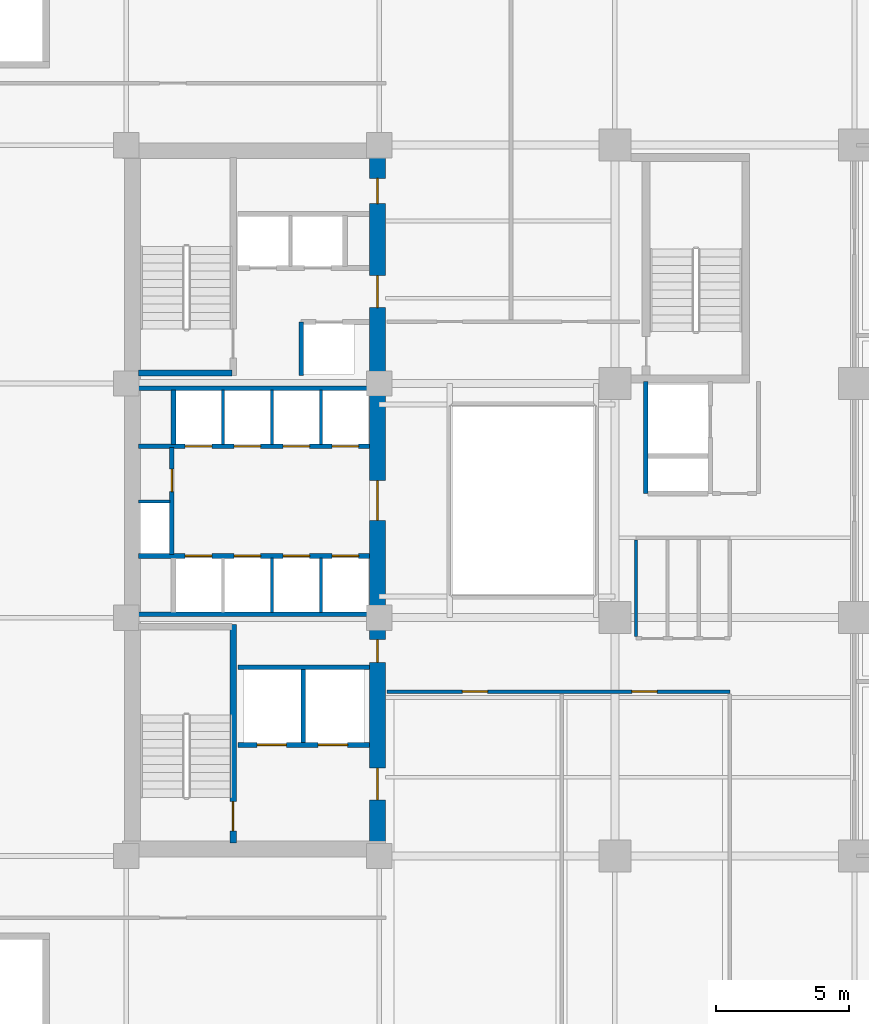
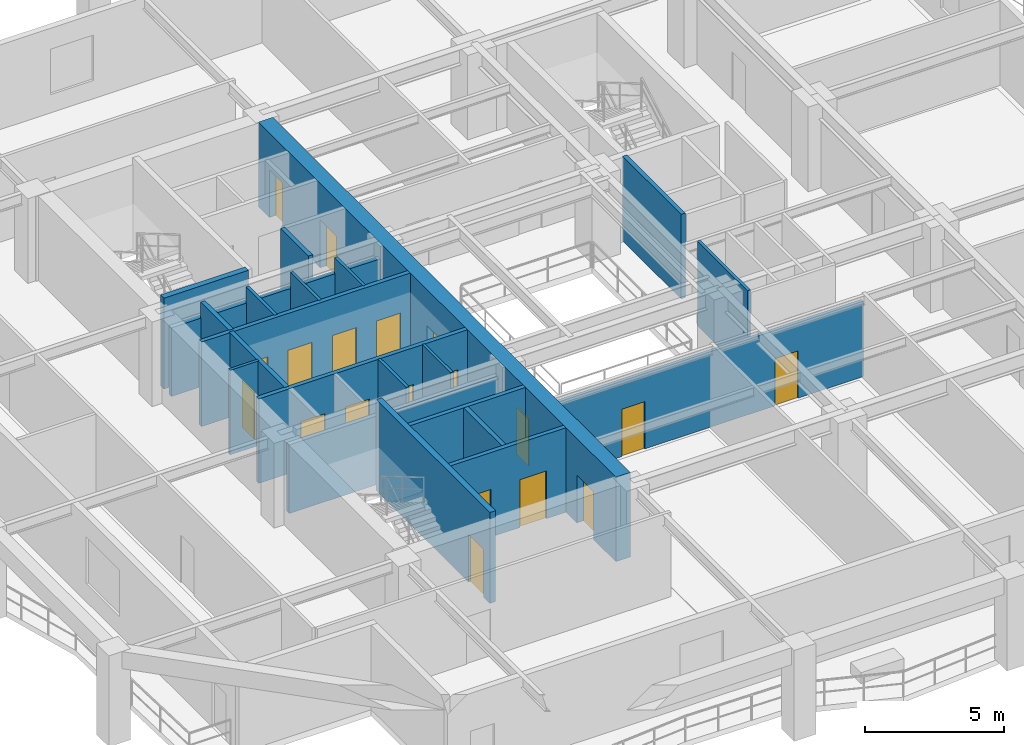
# One storey, part 3 of 12: 22 walls, 19 doors, 19 openings.
"""IFC4 building model written with IfcOpenShell, lengths in metres."""

from ifc_helpers import new_model, si_unit, direction, frame, frame_2d, origin, place, context, subcontext, project, spatial, rectangle, extrude, material, layer, layer_set, type_object, element, fill, save


model = new_model("IFC4")

# Units and contexts
model_context = context("Model", 3, precision=1e-05, world=origin(), true_north=direction((0.0, 1.0)))
body_context = subcontext(model_context, "Body", "Model", "MODEL_VIEW")
ifc_project = project(units=[si_unit("LENGTHUNIT", "METRE"), si_unit("AREAUNIT", "SQUARE_METRE"), si_unit("VOLUMEUNIT", "CUBIC_METRE"), si_unit("PLANEANGLEUNIT", "RADIAN"), si_unit("MASSUNIT", "GRAM", prefix="KILO")], contexts=[model_context])

# Site, building, storey
site_placement = place(None, origin())
site = spatial("IfcSite", under=ifc_project, at=site_placement, CompositionType="ELEMENT")
building_placement = place(site_placement, origin())
building = spatial("IfcBuilding", under=site, at=building_placement, Name="Kundavana Baori Tower", CompositionType="ELEMENT")
storey_placement = place(building_placement, frame((0.0, 0.0, 42.0)))
storey = spatial("IfcBuildingStorey", under=building, at=storey_placement, Name="L09", CompositionType="ELEMENT", Elevation=42.0)

# Wall, opening, door
ifc_material_1 = material(Name="Concrete C50/60", Category="concrete")
ifc_layer_1 = layer(ifc_material_1, 0.39990234375, Name="WL-CORE-400")
ifc_layer_set_1 = layer_set([ifc_layer_1], Name="Concrete C50/60")
wall_type_1 = type_object("IfcWallType", Name="WL-CORE-400", PredefinedType="SHEAR", material=ifc_layer_set_1)
wall_1_placement = place(storey_placement, frame((19.4599609375, 15.739990234375, 0.0), z_axis=(0.0, 0.0, 1.0), x_axis=(0.0, 1.0, 0.0)))
wall_1 = element("IfcWall", 1, at=wall_1_placement, inside=storey, type_object=wall_type_1, Name="WL-L09-ST1-E", PredefinedType="SHEAR", context=body_context, shape_type="SweptSolid", body=[
    extrude(rectangle(XDim=8.199951171875, YDim=0.239990234375, at=frame_2d((4.10009765625, 0.0))), origin(), (0.0, 0.0, 1.0), 4.0),
])
opening_1_placement = place(wall_1_placement, frame((0.449951171875, 0.0, 0.0)))
opening_1 = element("IfcOpeningElement", 2, at=opening_1_placement, cuts=wall_1, Name="Opening FD-110", PredefinedType="OPENING", context=body_context, shape_type="SweptSolid", body=[
    extrude(rectangle(XDim=1.10009765625, YDim=2.10009765625, at=frame_2d((0.550048828125, 1.050048828125))), frame((0.0, 0.1298828125, 0.0), z_axis=(0.0, -1.0, 0.0), x_axis=(1.0, 0.0, 0.0)), (0.0, 0.0, 1.0), 0.260009765625),
])
ifc_material_2 = material(Name="Galvanised Steel Fire-Rated Door Leaf", Category="steel")
door_type_1 = type_object("IfcDoorType", Name="DR-FD120-1100", OperationType="NOTDEFINED", PredefinedType="DOOR", material=ifc_material_2)
door_1_placement = place(opening_1_placement, origin())
door_1 = element("IfcDoor", 3, at=door_1_placement, inside=storey, type_object=door_type_1, Name="DR-L09-ST1", OperationType="SINGLE_SWING_LEFT", OverallHeight=2.10009765625, OverallWidth=1.10009765625, PredefinedType="DOOR", context=body_context, shape_type="SweptSolid", body=[
    extrude(rectangle(XDim=1.10009765625, YDim=2.10009765625, at=frame_2d((0.550048828125, 1.050048828125))), frame((0.0, 0.02490234375, 0.0), z_axis=(0.0, -1.0, 0.0), x_axis=(1.0, 0.0, 0.0)), (0.0, 0.0, 1.0), 0.050048828125),
])
fill(opening_1, door_1)

# Wall
wall_2_placement = place(storey_placement, frame((15.89990234375, 33.389892578125, 0.0), z_axis=(0.0, 0.0, 1.0), x_axis=(1.0, 0.0, 0.0)))
element("IfcWall", 4, at=wall_2_placement, inside=storey, type_object=wall_type_1, Name="WL-L09-ST2-S", PredefinedType="SHEAR", context=body_context, shape_type="SweptSolid", body=[
    extrude(rectangle(XDim=3.52001953125, YDim=0.239990234375, at=frame_2d((1.760009765625, 0.0))), origin(), (0.0, 0.0, 1.0), 4.0),
])

# Wall, openings, doors
ifc_material_3 = material(Name="Concrete C60/75", Category="concrete")
ifc_layer_2 = layer(ifc_material_3, 0.60009765625, Name="WL-CORE-600")
ifc_layer_set_2 = layer_set([ifc_layer_2], Name="Concrete C60/75")
wall_type_2 = type_object("IfcWallType", Name="WL-CORE-600", PredefinedType="SHEAR", material=ifc_layer_set_2)
wall_3_placement = place(storey_placement, frame((24.8798828125, 15.739990234375, 0.0), z_axis=(0.0, 0.0, 1.0), x_axis=(0.0, 1.0, 0.0)))
wall_3 = element("IfcWall", 5, at=wall_3_placement, inside=storey, type_object=wall_type_2, Name="L09 Offset Core East Shear Wall", PredefinedType="SHEAR", context=body_context, shape_type="SweptSolid", body=[
    extrude(rectangle(XDim=25.760009765625, YDim=0.60009765625, at=frame_2d((12.8798828125, 0.0))), origin(), (0.0, 0.0, 1.0), 3.719970703125),
])
opening_2_placement = place(wall_3_placement, frame((1.610107421875, 0.0, 0.0)))
opening_2 = element("IfcOpeningElement", 6, at=opening_2_placement, cuts=wall_3, Name="Opening FD-120", PredefinedType="OPENING", context=body_context, shape_type="SweptSolid", body=[
    extrude(rectangle(XDim=1.199951171875, YDim=2.10009765625, at=frame_2d((0.60009765625, 1.050048828125))), frame((0.0, 0.31005859375, 0.0), z_axis=(0.0, -1.0, 0.0), x_axis=(1.0, 0.0, 0.0)), (0.0, 0.0, 1.0), 0.6201171875),
])
opening_3_placement = place(wall_3_placement, frame((6.780029296875, 0.0, 0.0)))
opening_3 = element("IfcOpeningElement", 7, at=opening_3_placement, cuts=wall_3, Name="Opening FD-085", PredefinedType="OPENING", context=body_context, shape_type="SweptSolid", body=[
    extrude(rectangle(XDim=0.85009765625, YDim=2.06005859375, at=frame_2d((0.425048828125, 1.030029296875))), frame((0.0, 0.31005859375, 0.0), z_axis=(0.0, -1.0, 0.0), x_axis=(1.0, 0.0, 0.0)), (0.0, 0.0, 1.0), 0.6201171875),
])
opening_4_placement = place(wall_3_placement, frame((12.110107421875, 0.0, 0.0)))
opening_4 = element("IfcOpeningElement", 8, at=opening_4_placement, cuts=wall_3, Name="Opening FD-150", PredefinedType="OPENING", context=body_context, shape_type="SweptSolid", body=[
    extrude(rectangle(XDim=1.5, YDim=2.1201171875, at=frame_2d((0.75, 1.06005859375))), frame((0.0, 0.31005859375, 0.0), z_axis=(0.0, -1.0, 0.0), x_axis=(1.0, 0.0, 0.0)), (0.0, 0.0, 1.0), 0.6201171875),
])
opening_5_placement = place(wall_3_placement, frame((20.110107421875, 0.0, 0.0)))
opening_5 = element("IfcOpeningElement", 9, at=opening_5_placement, cuts=wall_3, Name="Opening FD-122", PredefinedType="OPENING", context=body_context, shape_type="SweptSolid", body=[
    extrude(rectangle(XDim=1.199951171875, YDim=2.1201171875, at=frame_2d((0.60009765625, 1.06005859375))), frame((0.0, 0.31005859375, 0.0), z_axis=(0.0, -1.0, 0.0), x_axis=(1.0, 0.0, 0.0)), (0.0, 0.0, 1.0), 0.6201171875),
])
opening_6_placement = place(wall_3_placement, frame((24.010009765625, 0.0, 0.0)))
opening_6 = element("IfcOpeningElement", 10, at=opening_6_placement, cuts=wall_3, Name="Opening FD-095", PredefinedType="OPENING", context=body_context, shape_type="SweptSolid", body=[
    extrude(rectangle(XDim=0.949951171875, YDim=2.10009765625, at=frame_2d((0.47509765625, 1.050048828125))), frame((0.0, 0.31005859375, 0.0), z_axis=(0.0, -1.0, 0.0), x_axis=(1.0, 0.0, 0.0)), (0.0, 0.0, 1.0), 0.6201171875),
])
ifc_material_4 = material(Name="Galvanised Steel Fire-Rated Door Leaf", Category="steel")
door_type_2 = type_object("IfcDoorType", Name="DR-FD120-1200", OperationType="NOTDEFINED", PredefinedType="DOOR", material=ifc_material_4)
door_2_placement = place(opening_2_placement, frame((1.199951171875, 0.0, 0.0), z_axis=(0.0, 0.0, 1.0), x_axis=(-1.0, 0.0, 0.0)))
door_2 = element("IfcDoor", 11, at=door_2_placement, inside=storey, type_object=door_type_2, Name="DR-L09-FFLOB-E", OperationType="SINGLE_SWING_RIGHT", OverallHeight=2.10009765625, OverallWidth=1.199951171875, PredefinedType="DOOR", context=body_context, shape_type="SweptSolid", body=[
    extrude(rectangle(XDim=1.199951171875, YDim=2.10009765625, at=frame_2d((0.60009765625, 1.050048828125))), frame((0.0, 0.02490234375, 0.0), z_axis=(0.0, -1.0, 0.0), x_axis=(1.0, 0.0, 0.0)), (0.0, 0.0, 1.0), 0.050048828125),
])
fill(opening_2, door_2)
ifc_material_5 = material(Name="Galvanised Steel Fire-Rated Door Leaf", Category="steel")
door_type_3 = type_object("IfcDoorType", Name="DR-FD60-1200", OperationType="NOTDEFINED", PredefinedType="DOOR", material=ifc_material_5)
door_3_placement = place(opening_5_placement, frame((1.199951171875, 0.0, 0.0), z_axis=(0.0, 0.0, 1.0), x_axis=(-1.0, 0.0, 0.0)))
door_3 = element("IfcDoor", 12, at=door_3_placement, inside=storey, type_object=door_type_3, Name="DR-L09-HRLOB-E", OperationType="SINGLE_SWING_RIGHT", OverallHeight=2.1201171875, OverallWidth=1.199951171875, PredefinedType="DOOR", context=body_context, shape_type="SweptSolid", body=[
    extrude(rectangle(XDim=1.199951171875, YDim=2.1201171875, at=frame_2d((0.60009765625, 1.06005859375))), frame((0.0, 0.02490234375, 0.0), z_axis=(0.0, -1.0, 0.0), x_axis=(1.0, 0.0, 0.0)), (0.0, 0.0, 1.0), 0.050048828125),
])
fill(opening_5, door_3)
ifc_material_6 = material(Name="Galvanised Steel Fire-Rated Door Leaf", Category="steel")
door_type_4 = type_object("IfcDoorType", Name="DR-FD60-1500", OperationType="NOTDEFINED", PredefinedType="DOOR", material=ifc_material_6)
door_4_placement = place(opening_4_placement, frame((1.5, 0.0, 0.0), z_axis=(0.0, 0.0, 1.0), x_axis=(-1.0, 0.0, 0.0)))
door_4 = element("IfcDoor", 13, at=door_4_placement, inside=storey, type_object=door_type_4, Name="DR-L09-LIFTHALL-E", OperationType="SINGLE_SWING_LEFT", OverallHeight=2.1201171875, OverallWidth=1.5, PredefinedType="DOOR", context=body_context, shape_type="SweptSolid", body=[
    extrude(rectangle(XDim=1.5, YDim=2.1201171875, at=frame_2d((0.75, 1.06005859375))), frame((0.0, 0.02490234375, 0.0), z_axis=(0.0, -1.0, 0.0), x_axis=(1.0, 0.0, 0.0)), (0.0, 0.0, 1.0), 0.050048828125),
])
fill(opening_4, door_4)
ifc_material_7 = material(Name="Galvanised Steel Fire-Rated Door Leaf", Category="steel")
door_type_5 = type_object("IfcDoorType", Name="DR-FD60-850", OperationType="NOTDEFINED", PredefinedType="DOOR", material=ifc_material_7)
door_5_placement = place(opening_3_placement, frame((0.85009765625, 0.0, 0.0), z_axis=(0.0, 0.0, 1.0), x_axis=(-1.0, 0.0, 0.0)))
door_5 = element("IfcDoor", 14, at=door_5_placement, inside=storey, type_object=door_type_5, Name="DR-L09-CSMK1", OperationType="SINGLE_SWING_LEFT", OverallHeight=2.06005859375, OverallWidth=0.85009765625, PredefinedType="DOOR", context=body_context, shape_type="SweptSolid", body=[
    extrude(rectangle(XDim=0.85009765625, YDim=2.06005859375, at=frame_2d((0.425048828125, 1.030029296875))), frame((0.0, 0.02490234375, 0.0), z_axis=(0.0, -1.0, 0.0), x_axis=(1.0, 0.0, 0.0)), (0.0, 0.0, 1.0), 0.050048828125),
])
fill(opening_3, door_5)
ifc_material_8 = material(Name="Engineered Teak Fire-Rated Timber Door Leaf", Category="wood")
door_type_6 = type_object("IfcDoorType", Name="DR-FD60-950", OperationType="NOTDEFINED", PredefinedType="DOOR", material=ifc_material_8)
door_6_placement = place(opening_6_placement, frame((0.949951171875, 0.0, 0.0), z_axis=(0.0, 0.0, 1.0), x_axis=(-1.0, 0.0, 0.0)))
door_6 = element("IfcDoor", 15, at=door_6_placement, inside=storey, type_object=door_type_6, Name="DR-L09-CSRV1", OperationType="SINGLE_SWING_LEFT", OverallHeight=2.10009765625, OverallWidth=0.949951171875, PredefinedType="DOOR", context=body_context, shape_type="SweptSolid", body=[
    extrude(rectangle(XDim=0.949951171875, YDim=2.10009765625, at=frame_2d((0.47509765625, 1.050048828125))), frame((0.0, 0.02490234375, 0.0), z_axis=(0.0, -1.0, 0.0), x_axis=(1.0, 0.0, 0.0)), (0.0, 0.0, 1.0), 0.050048828125),
])
fill(opening_6, door_6)

# Walls
ifc_material_9 = material(Name="Acoustic Gypsum Plasterboard on Galvanised Steel Studs", Category="steel")
ifc_layer_3 = layer(ifc_material_9, 0.1201171875, Name="WL-PART-120")
ifc_layer_set_3 = layer_set([ifc_layer_3], Name="Acoustic Gypsum Plasterboard on Galvanised Steel Studs")
wall_type_3 = type_object("IfcWallType", Name="WL-PART-120", PredefinedType="PARTITIONING", material=ifc_layer_set_3)
for number, where, z_axis, x_axis, name in (
    (16, (20.919921875, 24.39990234375, 0.0), (0.0, 0.0, 1.0), (0.0, 1.0, 0.0), "WL-L09-LPLOW-D2"),
    (17, (22.760009765625, 24.39990234375, 0.0), (0.0, 0.0, 1.0), (0.0, 1.0, 0.0), "WL-L09-LPLOW-D3"),
):
    element("IfcWall", number, at=place(storey_placement, frame(where, z_axis=z_axis, x_axis=x_axis)), inside=storey, type_object=wall_type_3, Name=name, PredefinedType="PARTITIONING", context=body_context, shape_type="SweptSolid", body=[
        extrude(rectangle(XDim=2.050048828125, YDim=0.1201171875, at=frame_2d((1.02490234375, 0.0))), origin(), (0.0, 0.0, 1.0), 3.719970703125),
    ])
wall_4_placement = place(storey_placement, frame((15.89990234375, 28.56005859375, 0.0), z_axis=(0.0, 0.0, 1.0), x_axis=(1.0, 0.0, 0.0)))
element("IfcWall", 18, at=wall_4_placement, inside=storey, type_object=wall_type_3, Name="WL-L09-RSRW-N", PredefinedType="PARTITIONING", context=body_context, shape_type="SweptSolid", body=[
    extrude(rectangle(XDim=1.2001953125, YDim=0.1201171875, at=frame_2d((0.60009765625, 0.0))), origin(), (0.0, 0.0, 1.0), 3.719970703125),
])
for number, where, z_axis, x_axis, name in (
    (19, (19.080078125, 30.699951171875, 0.0), (0.0, 0.0, 1.0), (0.0, 1.0, 0.0), "WL-L09-LPMID-D1"),
    (20, (20.919921875, 30.699951171875, 0.0), (0.0, 0.0, 1.0), (0.0, 1.0, 0.0), "WL-L09-LPMID-D2"),
    (21, (22.760009765625, 30.699951171875, 0.0), (0.0, 0.0, 1.0), (0.0, 1.0, 0.0), "WL-L09-LPMID-D3"),
):
    element("IfcWall", number, at=place(storey_placement, frame(where, z_axis=z_axis, x_axis=x_axis)), inside=storey, type_object=wall_type_3, Name=name, PredefinedType="PARTITIONING", context=body_context, shape_type="SweptSolid", body=[
        extrude(rectangle(XDim=2.050048828125, YDim=0.1201171875, at=frame_2d((1.02490234375, 0.0))), origin(), (0.0, 0.0, 1.0), 3.719970703125),
    ])

# Wall, openings, doors
ifc_material_10 = material(Name="Acoustic Gypsum Plasterboard on Galvanised Steel Studs", Category="steel")
ifc_layer_4 = layer(ifc_material_10, 0.135009765625, Name="WL-PART-135")
ifc_layer_set_4 = layer_set([ifc_layer_4], Name="Acoustic Gypsum Plasterboard on Galvanised Steel Studs")
wall_type_4 = type_object("IfcWallType", Name="WL-PART-135", PredefinedType="PARTITIONING", material=ifc_layer_set_4)
wall_5_placement = place(storey_placement, frame((25.25, 21.419921875, 0.0), z_axis=(0.0, 0.0, 1.0), x_axis=(1.0, 0.0, 0.0)))
wall_5 = element("IfcWall", 22, at=wall_5_placement, inside=storey, type_object=wall_type_4, Name="WL-L09-OFS", PredefinedType="PARTITIONING", context=body_context, shape_type="SweptSolid", body=[
    extrude(rectangle(XDim=12.8701171875, YDim=0.135009765625, at=frame_2d((6.43505859375, 0.0))), origin(), (0.0, 0.0, 1.0), 3.320068359375),
])
opening_7_placement = place(wall_5_placement, frame((2.824951171875, 0.0, 0.0)))
opening_7 = element("IfcOpeningElement", 23, at=opening_7_placement, cuts=wall_5, Name="Opening ID-095", PredefinedType="OPENING", context=body_context, shape_type="SweptSolid", body=[
    extrude(rectangle(XDim=0.949951171875, YDim=2.080078125, at=frame_2d((0.47509765625, 1.0400390625))), frame((0.0, 0.07763671875, 0.0), z_axis=(0.0, -1.0, 0.0), x_axis=(1.0, 0.0, 0.0)), (0.0, 0.0, 1.0), 0.155029296875),
])
opening_8_placement = place(wall_5_placement, frame((9.195068359375, 0.0, 0.0)))
opening_8 = element("IfcOpeningElement", 24, at=opening_8_placement, cuts=wall_5, Name="Opening ID-095", PredefinedType="OPENING", context=body_context, shape_type="SweptSolid", body=[
    extrude(rectangle(XDim=0.949951171875, YDim=2.080078125, at=frame_2d((0.47509765625, 1.0400390625))), frame((0.0, 0.07763671875, 0.0), z_axis=(0.0, -1.0, 0.0), x_axis=(1.0, 0.0, 0.0)), (0.0, 0.0, 1.0), 0.155029296875),
])
ifc_material_11 = material(Name="Engineered Teak Solid-Core Timber Veneer", Category="wood")
door_type_7 = type_object("IfcDoorType", Name="DR-INT-950", OperationType="NOTDEFINED", PredefinedType="DOOR", material=ifc_material_11)
door_7_placement = place(opening_7_placement, frame((0.949951171875, 0.0, 0.0), z_axis=(0.0, 0.0, 1.0), x_axis=(-1.0, 0.0, 0.0)))
door_7 = element("IfcDoor", 25, at=door_7_placement, inside=storey, type_object=door_type_7, Name="DR-L09-OFS1", OperationType="SINGLE_SWING_LEFT", OverallHeight=2.080078125, OverallWidth=0.949951171875, PredefinedType="DOOR", context=body_context, shape_type="SweptSolid", body=[
    extrude(rectangle(XDim=0.949951171875, YDim=2.080078125, at=frame_2d((0.47509765625, 1.0400390625))), frame((0.0, 0.02490234375, 0.0), z_axis=(0.0, -1.0, 0.0), x_axis=(1.0, 0.0, 0.0)), (0.0, 0.0, 1.0), 0.050048828125),
])
fill(opening_7, door_7)
door_8_placement = place(opening_8_placement, frame((0.949951171875, 0.0, 0.0), z_axis=(0.0, 0.0, 1.0), x_axis=(-1.0, 0.0, 0.0)))
door_8 = element("IfcDoor", 26, at=door_8_placement, inside=storey, type_object=door_type_7, Name="DR-L09-OFS2", OperationType="SINGLE_SWING_RIGHT", OverallHeight=2.080078125, OverallWidth=0.949951171875, PredefinedType="DOOR", context=body_context, shape_type="SweptSolid", body=[
    extrude(rectangle(XDim=0.949951171875, YDim=2.080078125, at=frame_2d((0.47509765625, 1.0400390625))), frame((0.0, 0.02490234375, 0.0), z_axis=(0.0, -1.0, 0.0), x_axis=(1.0, 0.0, 0.0)), (0.0, 0.0, 1.0), 0.050048828125),
])
fill(opening_8, door_8)

ifc_material_12 = material(Name="Autoclaved Aerated Concrete Blockwork Masonry", Category="masonry")
ifc_layer_5 = layer(ifc_material_12, 0.179931640625, Name="WL-SHAFT-180")
ifc_layer_set_5 = layer_set([ifc_layer_5], Name="Autoclaved Aerated Concrete Blockwork Masonry")
wall_type_5 = type_object("IfcWallType", Name="WL-SHAFT-180", PredefinedType="SOLIDWALL", material=ifc_layer_set_5)
wall_6_placement = place(storey_placement, frame((19.639892578125, 19.419921875, 0.0), z_axis=(0.0, 0.0, 1.0), x_axis=(1.0, 0.0, 0.0)))
wall_6 = element("IfcWall", 27, at=wall_6_placement, inside=storey, type_object=wall_type_5, Name="WL-L09-FFL-S", PredefinedType="SOLIDWALL", context=body_context, shape_type="SweptSolid", body=[
    extrude(rectangle(XDim=4.940185546875, YDim=0.179931640625, at=frame_2d((2.47021484375, 0.0))), origin(), (0.0, 0.0, 1.0), 3.719970703125),
])
opening_9_placement = place(wall_6_placement, frame((0.719970703125, 0.0, 0.0)))
opening_9 = element("IfcOpeningElement", 28, at=opening_9_placement, cuts=wall_6, Name="Opening LD-110", PredefinedType="OPENING", context=body_context, shape_type="SweptSolid", body=[
    extrude(rectangle(XDim=1.10009765625, YDim=2.10009765625, at=frame_2d((0.550048828125, 1.050048828125))), frame((0.0, 0.10009765625, 0.0), z_axis=(0.0, -1.0, 0.0), x_axis=(1.0, 0.0, 0.0)), (0.0, 0.0, 1.0), 0.199951171875),
])
opening_10_placement = place(wall_6_placement, frame((3.02001953125, 0.0, 0.0)))
opening_10 = element("IfcOpeningElement", 29, at=opening_10_placement, cuts=wall_6, Name="Opening LD-110", PredefinedType="OPENING", context=body_context, shape_type="SweptSolid", body=[
    extrude(rectangle(XDim=1.10009765625, YDim=2.10009765625, at=frame_2d((0.550048828125, 1.050048828125))), frame((0.0, 0.10009765625, 0.0), z_axis=(0.0, -1.0, 0.0), x_axis=(1.0, 0.0, 0.0)), (0.0, 0.0, 1.0), 0.199951171875),
])
ifc_material_13 = material(Name="Galvanised Steel Fire-Rated Door Leaf", Category="steel")
door_type_8 = type_object("IfcDoorType", Name="DR-SLIDE-LD1100", OperationType="NOTDEFINED", PredefinedType="DOOR", material=ifc_material_13)
door_9_placement = place(opening_9_placement, origin())
door_9 = element("IfcDoor", 30, at=door_9_placement, inside=storey, type_object=door_type_8, Name="DR-L09-LD-FFL-1", OperationType="DOUBLE_DOOR_SLIDING", OverallHeight=2.10009765625, OverallWidth=1.10009765625, PredefinedType="DOOR", context=body_context, shape_type="SweptSolid", body=[
    extrude(rectangle(XDim=1.10009765625, YDim=2.10009765625, at=frame_2d((0.550048828125, 1.050048828125))), frame((0.0, 0.02490234375, 0.0), z_axis=(0.0, -1.0, 0.0), x_axis=(1.0, 0.0, 0.0)), (0.0, 0.0, 1.0), 0.050048828125),
])
fill(opening_9, door_9)
door_10_placement = place(opening_10_placement, origin())
door_10 = element("IfcDoor", 31, at=door_10_placement, inside=storey, type_object=door_type_8, Name="DR-L09-LD-FFL-2", OperationType="DOUBLE_DOOR_SLIDING", OverallHeight=2.10009765625, OverallWidth=1.10009765625, PredefinedType="DOOR", context=body_context, shape_type="SweptSolid", body=[
    extrude(rectangle(XDim=1.10009765625, YDim=2.10009765625, at=frame_2d((0.550048828125, 1.050048828125))), frame((0.0, 0.02490234375, 0.0), z_axis=(0.0, -1.0, 0.0), x_axis=(1.0, 0.0, 0.0)), (0.0, 0.0, 1.0), 0.050048828125),
])
fill(opening_10, door_10)

# Walls
wall_7_placement = place(storey_placement, frame((22.10009765625, 19.510009765625, 0.0), z_axis=(0.0, 0.0, 1.0), x_axis=(0.0, 1.0, 0.0)))
element("IfcWall", 32, at=wall_7_placement, inside=storey, type_object=wall_type_5, Name="WL-L09-FFL-MID", PredefinedType="SOLIDWALL", context=body_context, shape_type="SweptSolid", body=[
    extrude(rectangle(XDim=2.739990234375, YDim=0.179931640625, at=frame_2d((1.3701171875, 0.0))), origin(), (0.0, 0.0, 1.0), 3.719970703125),
])
wall_8_placement = place(storey_placement, frame((19.639892578125, 22.340087890625, 0.0), z_axis=(0.0, 0.0, 1.0), x_axis=(1.0, 0.0, 0.0)))
element("IfcWall", 33, at=wall_8_placement, inside=storey, type_object=wall_type_5, Name="WL-L09-FFL-N", PredefinedType="SOLIDWALL", context=body_context, shape_type="SweptSolid", body=[
    extrude(rectangle(XDim=4.940185546875, YDim=0.179931640625, at=frame_2d((2.47021484375, 0.0))), origin(), (0.0, 0.0, 1.0), 3.719970703125),
])

# Wall, openings, doors
wall_9_placement = place(storey_placement, frame((15.89990234375, 26.52001953125, 0.0), z_axis=(0.0, 0.0, 1.0), x_axis=(1.0, 0.0, 0.0)))
wall_9 = element("IfcWall", 34, at=wall_9_placement, inside=storey, type_object=wall_type_5, Name="WL-L09-LPLOW-N", PredefinedType="SOLIDWALL", context=body_context, shape_type="SweptSolid", body=[
    extrude(rectangle(XDim=8.68017578125, YDim=0.179931640625, at=frame_2d((4.340087890625, 0.0))), origin(), (0.0, 0.0, 1.0), 3.719970703125),
])
opening_11_placement = place(wall_9_placement, frame((1.760009765625, 0.0, 0.0)))
opening_11 = element("IfcOpeningElement", 35, at=opening_11_placement, cuts=wall_9, Name="Opening LD-100", PredefinedType="OPENING", context=body_context, shape_type="SweptSolid", body=[
    extrude(rectangle(XDim=1.0, YDim=2.10009765625, at=frame_2d((0.5, 1.050048828125))), frame((0.0, 0.10009765625, 0.0), z_axis=(0.0, -1.0, 0.0), x_axis=(1.0, 0.0, 0.0)), (0.0, 0.0, 1.0), 0.199951171875),
])
opening_12_placement = place(wall_9_placement, frame((3.60009765625, 0.0, 0.0)))
opening_12 = element("IfcOpeningElement", 36, at=opening_12_placement, cuts=wall_9, Name="Opening LD-100", PredefinedType="OPENING", context=body_context, shape_type="SweptSolid", body=[
    extrude(rectangle(XDim=1.0, YDim=2.10009765625, at=frame_2d((0.5, 1.050048828125))), frame((0.0, 0.10009765625, 0.0), z_axis=(0.0, -1.0, 0.0), x_axis=(1.0, 0.0, 0.0)), (0.0, 0.0, 1.0), 0.199951171875),
])
opening_13_placement = place(wall_9_placement, frame((5.43994140625, 0.0, 0.0)))
opening_13 = element("IfcOpeningElement", 37, at=opening_13_placement, cuts=wall_9, Name="Opening LD-100", PredefinedType="OPENING", context=body_context, shape_type="SweptSolid", body=[
    extrude(rectangle(XDim=1.0, YDim=2.10009765625, at=frame_2d((0.5, 1.050048828125))), frame((0.0, 0.10009765625, 0.0), z_axis=(0.0, -1.0, 0.0), x_axis=(1.0, 0.0, 0.0)), (0.0, 0.0, 1.0), 0.199951171875),
])
opening_14_placement = place(wall_9_placement, frame((7.280029296875, 0.0, 0.0)))
opening_14 = element("IfcOpeningElement", 38, at=opening_14_placement, cuts=wall_9, Name="Opening LD-100", PredefinedType="OPENING", context=body_context, shape_type="SweptSolid", body=[
    extrude(rectangle(XDim=1.0, YDim=2.10009765625, at=frame_2d((0.5, 1.050048828125))), frame((0.0, 0.10009765625, 0.0), z_axis=(0.0, -1.0, 0.0), x_axis=(1.0, 0.0, 0.0)), (0.0, 0.0, 1.0), 0.199951171875),
])
ifc_material_14 = material(Name="Galvanised Steel Fire-Rated Door Leaf", Category="steel")
door_type_9 = type_object("IfcDoorType", Name="DR-SLIDE-LD1000", OperationType="NOTDEFINED", PredefinedType="DOOR", material=ifc_material_14)
door_11_placement = place(opening_11_placement, origin())
door_11 = element("IfcDoor", 39, at=door_11_placement, inside=storey, type_object=door_type_9, Name="DR-L09-LD-LP-01", OperationType="DOUBLE_DOOR_SLIDING", OverallHeight=2.10009765625, OverallWidth=1.0, PredefinedType="DOOR", context=body_context, shape_type="SweptSolid", body=[
    extrude(rectangle(XDim=1.0, YDim=2.10009765625, at=frame_2d((0.5, 1.050048828125))), frame((0.0, 0.02490234375, 0.0), z_axis=(0.0, -1.0, 0.0), x_axis=(1.0, 0.0, 0.0)), (0.0, 0.0, 1.0), 0.050048828125),
])
fill(opening_11, door_11)
door_12_placement = place(opening_12_placement, origin())
door_12 = element("IfcDoor", 40, at=door_12_placement, inside=storey, type_object=door_type_9, Name="DR-L09-LD-LP-02", OperationType="DOUBLE_DOOR_SLIDING", OverallHeight=2.10009765625, OverallWidth=1.0, PredefinedType="DOOR", context=body_context, shape_type="SweptSolid", body=[
    extrude(rectangle(XDim=1.0, YDim=2.10009765625, at=frame_2d((0.5, 1.050048828125))), frame((0.0, 0.02490234375, 0.0), z_axis=(0.0, -1.0, 0.0), x_axis=(1.0, 0.0, 0.0)), (0.0, 0.0, 1.0), 0.050048828125),
])
fill(opening_12, door_12)
door_13_placement = place(opening_13_placement, origin())
door_13 = element("IfcDoor", 41, at=door_13_placement, inside=storey, type_object=door_type_9, Name="DR-L09-LD-LP-03", OperationType="DOUBLE_DOOR_SLIDING", OverallHeight=2.10009765625, OverallWidth=1.0, PredefinedType="DOOR", context=body_context, shape_type="SweptSolid", body=[
    extrude(rectangle(XDim=1.0, YDim=2.10009765625, at=frame_2d((0.5, 1.050048828125))), frame((0.0, 0.02490234375, 0.0), z_axis=(0.0, -1.0, 0.0), x_axis=(1.0, 0.0, 0.0)), (0.0, 0.0, 1.0), 0.050048828125),
])
fill(opening_13, door_13)
door_14_placement = place(opening_14_placement, origin())
door_14 = element("IfcDoor", 42, at=door_14_placement, inside=storey, type_object=door_type_9, Name="DR-L09-LD-LP-04", OperationType="DOUBLE_DOOR_SLIDING", OverallHeight=2.10009765625, OverallWidth=1.0, PredefinedType="DOOR", context=body_context, shape_type="SweptSolid", body=[
    extrude(rectangle(XDim=1.0, YDim=2.10009765625, at=frame_2d((0.5, 1.050048828125))), frame((0.0, 0.02490234375, 0.0), z_axis=(0.0, -1.0, 0.0), x_axis=(1.0, 0.0, 0.0)), (0.0, 0.0, 1.0), 0.050048828125),
])
fill(opening_14, door_14)

# Wall
wall_10_placement = place(storey_placement, frame((15.89990234375, 24.330078125, 0.0), z_axis=(0.0, 0.0, 1.0), x_axis=(1.0, 0.0, 0.0)))
element("IfcWall", 43, at=wall_10_placement, inside=storey, type_object=wall_type_5, Name="WL-L09-LPLOW-S", PredefinedType="SOLIDWALL", context=body_context, shape_type="SweptSolid", body=[
    extrude(rectangle(XDim=8.68017578125, YDim=0.179931640625, at=frame_2d((4.340087890625, 0.0))), origin(), (0.0, 0.0, 1.0), 3.02001953125),
])

# Wall, opening, door
wall_11_placement = place(storey_placement, frame((17.159912109375, 26.580078125, 0.0), z_axis=(0.0, 0.0, 1.0), x_axis=(0.0, 1.0, 0.0)))
wall_11 = element("IfcWall", 44, at=wall_11_placement, inside=storey, type_object=wall_type_5, Name="WL-L09-RSRW-E", PredefinedType="SOLIDWALL", context=body_context, shape_type="SweptSolid", body=[
    extrude(rectangle(XDim=4.02001953125, YDim=0.179931640625, at=frame_2d((2.010009765625, 0.0))), origin(), (0.0, 0.0, 1.0), 3.719970703125),
])
opening_15_placement = place(wall_11_placement, frame((2.35009765625, 0.0, 0.0)))
opening_15 = element("IfcOpeningElement", 45, at=opening_15_placement, cuts=wall_11, Name="Opening FD-085", PredefinedType="OPENING", context=body_context, shape_type="SweptSolid", body=[
    extrude(rectangle(XDim=0.85009765625, YDim=2.06005859375, at=frame_2d((0.425048828125, 1.030029296875))), frame((0.0, 0.10009765625, 0.0), z_axis=(0.0, -1.0, 0.0), x_axis=(1.0, 0.0, 0.0)), (0.0, 0.0, 1.0), 0.199951171875),
])
door_15_placement = place(opening_15_placement, origin())
door_15 = element("IfcDoor", 46, at=door_15_placement, inside=storey, type_object=door_type_5, Name="DR-L09-CLN", OperationType="SINGLE_SWING_RIGHT", OverallHeight=2.06005859375, OverallWidth=0.85009765625, PredefinedType="DOOR", context=body_context, shape_type="SweptSolid", body=[
    extrude(rectangle(XDim=0.85009765625, YDim=2.06005859375, at=frame_2d((0.425048828125, 1.030029296875))), frame((0.0, 0.02490234375, 0.0), z_axis=(0.0, -1.0, 0.0), x_axis=(1.0, 0.0, 0.0)), (0.0, 0.0, 1.0), 0.050048828125),
])
fill(opening_15, door_15)

# Wall, openings, doors
wall_12_placement = place(storey_placement, frame((15.89990234375, 30.639892578125, 0.0), z_axis=(0.0, 0.0, 1.0), x_axis=(1.0, 0.0, 0.0)))
wall_12 = element("IfcWall", 47, at=wall_12_placement, inside=storey, type_object=wall_type_5, Name="WL-L09-LPMID-S", PredefinedType="SOLIDWALL", context=body_context, shape_type="SweptSolid", body=[
    extrude(rectangle(XDim=8.68017578125, YDim=0.179931640625, at=frame_2d((4.340087890625, 0.0))), origin(), (0.0, 0.0, 1.0), 3.719970703125),
])
opening_16_placement = place(wall_12_placement, frame((1.760009765625, 0.0, 0.0)))
opening_16 = element("IfcOpeningElement", 48, at=opening_16_placement, cuts=wall_12, Name="Opening LD-100", PredefinedType="OPENING", context=body_context, shape_type="SweptSolid", body=[
    extrude(rectangle(XDim=1.0, YDim=2.10009765625, at=frame_2d((0.5, 1.050048828125))), frame((0.0, 0.10009765625, 0.0), z_axis=(0.0, -1.0, 0.0), x_axis=(1.0, 0.0, 0.0)), (0.0, 0.0, 1.0), 0.199951171875),
])
opening_17_placement = place(wall_12_placement, frame((3.60009765625, 0.0, 0.0)))
opening_17 = element("IfcOpeningElement", 49, at=opening_17_placement, cuts=wall_12, Name="Opening LD-100", PredefinedType="OPENING", context=body_context, shape_type="SweptSolid", body=[
    extrude(rectangle(XDim=1.0, YDim=2.10009765625, at=frame_2d((0.5, 1.050048828125))), frame((0.0, 0.10009765625, 0.0), z_axis=(0.0, -1.0, 0.0), x_axis=(1.0, 0.0, 0.0)), (0.0, 0.0, 1.0), 0.199951171875),
])
opening_18_placement = place(wall_12_placement, frame((5.43994140625, 0.0, 0.0)))
opening_18 = element("IfcOpeningElement", 50, at=opening_18_placement, cuts=wall_12, Name="Opening LD-100", PredefinedType="OPENING", context=body_context, shape_type="SweptSolid", body=[
    extrude(rectangle(XDim=1.0, YDim=2.10009765625, at=frame_2d((0.5, 1.050048828125))), frame((0.0, 0.10009765625, 0.0), z_axis=(0.0, -1.0, 0.0), x_axis=(1.0, 0.0, 0.0)), (0.0, 0.0, 1.0), 0.199951171875),
])
opening_19_placement = place(wall_12_placement, frame((7.280029296875, 0.0, 0.0)))
opening_19 = element("IfcOpeningElement", 51, at=opening_19_placement, cuts=wall_12, Name="Opening LD-100", PredefinedType="OPENING", context=body_context, shape_type="SweptSolid", body=[
    extrude(rectangle(XDim=1.0, YDim=2.10009765625, at=frame_2d((0.5, 1.050048828125))), frame((0.0, 0.10009765625, 0.0), z_axis=(0.0, -1.0, 0.0), x_axis=(1.0, 0.0, 0.0)), (0.0, 0.0, 1.0), 0.199951171875),
])
door_16_placement = place(opening_16_placement, frame((1.0, 0.0, 0.0), z_axis=(0.0, 0.0, 1.0), x_axis=(-1.0, 0.0, 0.0)))
door_16 = element("IfcDoor", 52, at=door_16_placement, inside=storey, type_object=door_type_9, Name="DR-L09-LD-LP-05", OperationType="DOUBLE_DOOR_SLIDING", OverallHeight=2.10009765625, OverallWidth=1.0, PredefinedType="DOOR", context=body_context, shape_type="SweptSolid", body=[
    extrude(rectangle(XDim=1.0, YDim=2.10009765625, at=frame_2d((0.5, 1.050048828125))), frame((0.0, 0.02490234375, 0.0), z_axis=(0.0, -1.0, 0.0), x_axis=(1.0, 0.0, 0.0)), (0.0, 0.0, 1.0), 0.050048828125),
])
fill(opening_16, door_16)
door_17_placement = place(opening_17_placement, frame((1.0, 0.0, 0.0), z_axis=(0.0, 0.0, 1.0), x_axis=(-1.0, 0.0, 0.0)))
door_17 = element("IfcDoor", 53, at=door_17_placement, inside=storey, type_object=door_type_9, Name="DR-L09-LD-LP-06", OperationType="DOUBLE_DOOR_SLIDING", OverallHeight=2.10009765625, OverallWidth=1.0, PredefinedType="DOOR", context=body_context, shape_type="SweptSolid", body=[
    extrude(rectangle(XDim=1.0, YDim=2.10009765625, at=frame_2d((0.5, 1.050048828125))), frame((0.0, 0.02490234375, 0.0), z_axis=(0.0, -1.0, 0.0), x_axis=(1.0, 0.0, 0.0)), (0.0, 0.0, 1.0), 0.050048828125),
])
fill(opening_17, door_17)
door_18_placement = place(opening_18_placement, frame((1.0, 0.0, 0.0), z_axis=(0.0, 0.0, 1.0), x_axis=(-1.0, 0.0, 0.0)))
door_18 = element("IfcDoor", 54, at=door_18_placement, inside=storey, type_object=door_type_9, Name="DR-L09-LD-LP-07", OperationType="DOUBLE_DOOR_SLIDING", OverallHeight=2.10009765625, OverallWidth=1.0, PredefinedType="DOOR", context=body_context, shape_type="SweptSolid", body=[
    extrude(rectangle(XDim=1.0, YDim=2.10009765625, at=frame_2d((0.5, 1.050048828125))), frame((0.0, 0.02490234375, 0.0), z_axis=(0.0, -1.0, 0.0), x_axis=(1.0, 0.0, 0.0)), (0.0, 0.0, 1.0), 0.050048828125),
])
fill(opening_18, door_18)
door_19_placement = place(opening_19_placement, frame((1.0, 0.0, 0.0), z_axis=(0.0, 0.0, 1.0), x_axis=(-1.0, 0.0, 0.0)))
door_19 = element("IfcDoor", 55, at=door_19_placement, inside=storey, type_object=door_type_9, Name="DR-L09-LD-LP-08", OperationType="DOUBLE_DOOR_SLIDING", OverallHeight=2.10009765625, OverallWidth=1.0, PredefinedType="DOOR", context=body_context, shape_type="SweptSolid", body=[
    extrude(rectangle(XDim=1.0, YDim=2.10009765625, at=frame_2d((0.5, 1.050048828125))), frame((0.0, 0.02490234375, 0.0), z_axis=(0.0, -1.0, 0.0), x_axis=(1.0, 0.0, 0.0)), (0.0, 0.0, 1.0), 0.050048828125),
])
fill(opening_19, door_19)

# Walls
wall_13_placement = place(storey_placement, frame((15.89990234375, 32.820068359375, 0.0), z_axis=(0.0, 0.0, 1.0), x_axis=(1.0, 0.0, 0.0)))
element("IfcWall", 56, at=wall_13_placement, inside=storey, type_object=wall_type_5, Name="WL-L09-LPMID-N", PredefinedType="SOLIDWALL", context=body_context, shape_type="SweptSolid", body=[
    extrude(rectangle(XDim=8.68017578125, YDim=0.179931640625, at=frame_2d((4.340087890625, 0.0))), origin(), (0.0, 0.0, 1.0), 3.02001953125),
])
wall_14_placement = place(storey_placement, frame((17.219970703125, 30.699951171875, 0.0), z_axis=(0.0, 0.0, 1.0), x_axis=(0.0, 1.0, 0.0)))
element("IfcWall", 57, at=wall_14_placement, inside=storey, type_object=wall_type_5, Name="WL-L09-LPMID-W", PredefinedType="SOLIDWALL", context=body_context, shape_type="SweptSolid", body=[
    extrude(rectangle(XDim=2.050048828125, YDim=0.179931640625, at=frame_2d((1.02490234375, 0.0))), origin(), (0.0, 0.0, 1.0), 3.719970703125),
])
wall_15_placement = place(storey_placement, frame((22.02001953125, 33.300048828125, 0.0), z_axis=(0.0, 0.0, 1.0), x_axis=(0.0, 1.0, 0.0)))
element("IfcWall", 58, at=wall_15_placement, inside=storey, type_object=wall_type_5, Name="WL-L09-LP11-W", PredefinedType="SOLIDWALL", context=body_context, shape_type="SweptSolid", body=[
    extrude(rectangle(XDim=2.010009765625, YDim=0.179931640625, at=frame_2d((1.0048828125, 0.0))), origin(), (0.0, 0.0, 1.0), 3.719970703125),
])
wall_16_placement = place(storey_placement, frame((34.9599609375, 28.860107421875, 0.0), z_axis=(0.0, 0.0, 1.0), x_axis=(0.0, 1.0, 0.0)))
element("IfcWall", 59, at=wall_16_placement, inside=storey, type_object=wall_type_5, Name="WL-L09-SVL-W", PredefinedType="SOLIDWALL", context=body_context, shape_type="SweptSolid", body=[
    extrude(rectangle(XDim=4.219970703125, YDim=0.179931640625, at=frame_2d((2.10986328125, 0.0))), origin(), (0.0, 0.0, 1.0), 3.719970703125),
])
ifc_material_15 = material(Name="Autoclaved Aerated Concrete Blockwork Masonry", Category="masonry")
ifc_layer_6 = layer(ifc_material_15, 0.125, Name="WL-WET-120")
ifc_layer_set_6 = layer_set([ifc_layer_6], Name="Autoclaved Aerated Concrete Blockwork Masonry")
wall_type_6 = type_object("IfcWallType", Name="WL-WET-120", PredefinedType="PLUMBINGWALL", material=ifc_layer_set_6)
wall_17_placement = place(storey_placement, frame((34.60009765625, 23.5, 0.0), z_axis=(0.0, 0.0, 1.0), x_axis=(0.0, 1.0, 0.0)))
element("IfcWall", 60, at=wall_17_placement, inside=storey, type_object=wall_type_6, Name="WL-L09-WCW", PredefinedType="PLUMBINGWALL", context=body_context, shape_type="SweptSolid", body=[
    extrude(rectangle(XDim=3.6201171875, YDim=0.125, at=frame_2d((1.81005859375, 0.0))), origin(), (0.0, 0.0, 1.0), 3.719970703125),
])

save(model, "model.ifc")
